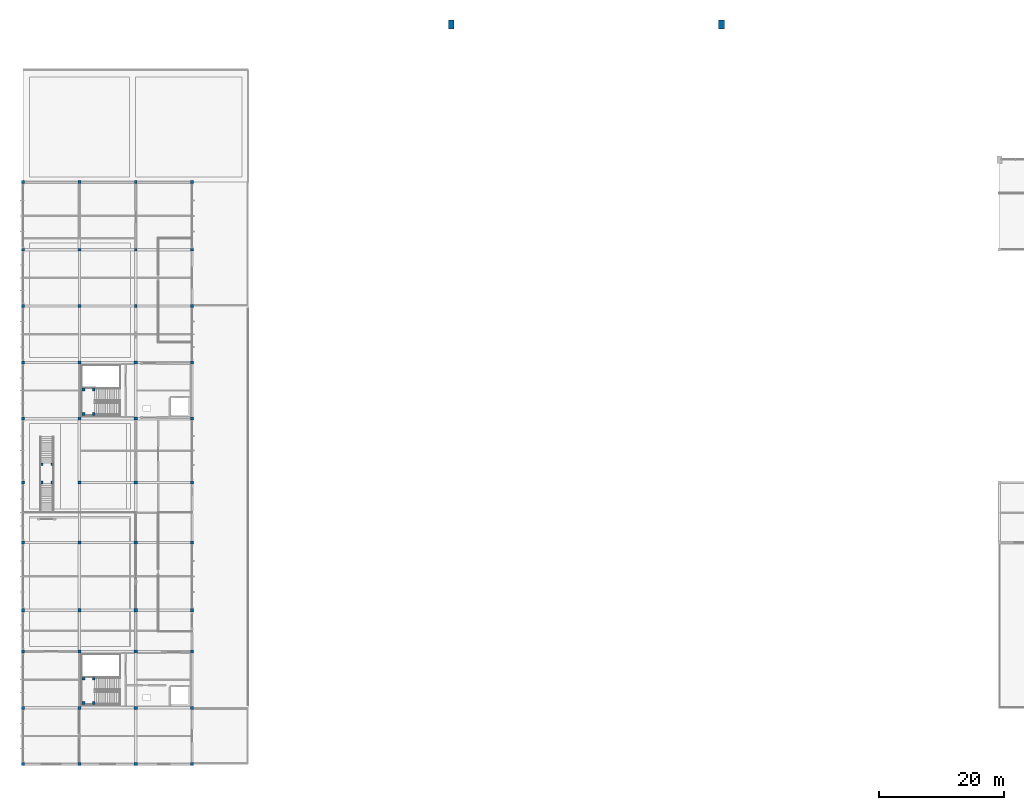
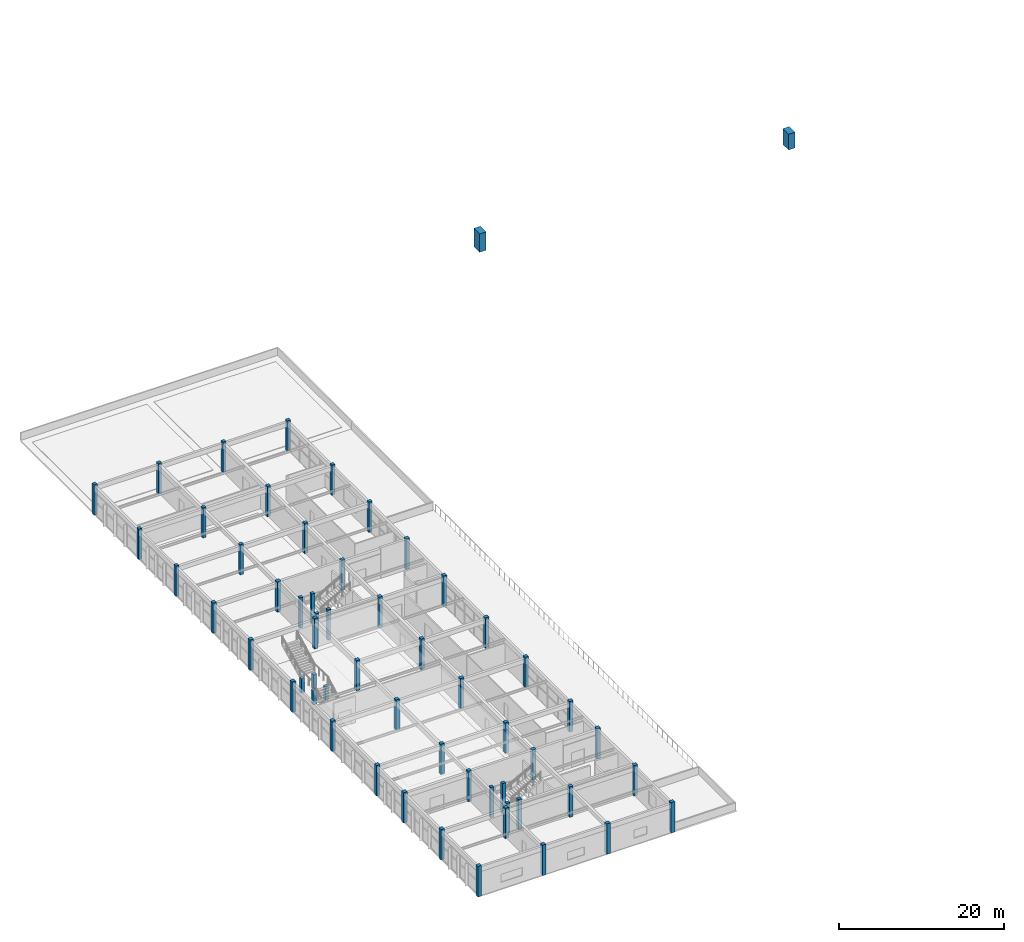
# One storey, part 1 of 22: 58 columns.
"""IFC4 building model written with IfcOpenShell, lengths in metres."""

from ifc_helpers import new_model, si_unit, direction, frame, origin, origin_2d, place, context, subcontext, project, spatial, rectangle, extrude, material, material_profile, profile_set, type_object, element, save


model = new_model("IFC4")

# Units and contexts
model_context = context("Model", 3, precision=1e-05, world=origin(), true_north=direction((0.0, 1.0)))
body_context = subcontext(model_context, "Body", "Model", "MODEL_VIEW")
ifc_project = project(units=[si_unit("LENGTHUNIT", "METRE"), si_unit("AREAUNIT", "SQUARE_METRE"), si_unit("VOLUMEUNIT", "CUBIC_METRE"), si_unit("PLANEANGLEUNIT", "RADIAN"), si_unit("MASSUNIT", "GRAM", prefix="KILO")], contexts=[model_context])

# Site, building, storey
site_placement = place(None, origin())
site = spatial("IfcSite", under=ifc_project, at=site_placement, CompositionType="ELEMENT")
building_placement = place(site_placement, origin())
building = spatial("IfcBuilding", under=site, at=building_placement, Name="Suirenkawa Promenade Aquatics Centre", CompositionType="ELEMENT")
storey_placement = place(building_placement, frame((0.0, 0.0, 14.10009765625)))
storey = spatial("IfcBuildingStorey", under=building, at=storey_placement, Name="L03", CompositionType="ELEMENT", Elevation=14.10009765625)

# Columns
ifc_material = material(Name="Concrete M40", Category="concrete")
ifc_material_profile_1 = material_profile(ifc_material, rectangle(XDim=0.89990234375, YDim=1.39990234375, at=origin_2d()), Name="RC PIER 900x1400", Category="concrete")
ifc_profile_set_1 = profile_set([ifc_material_profile_1], Name="Concrete M40")
column_type_1 = type_object("IfcColumnType", Name="CT-PIER-900x1400", PredefinedType="COLUMN", material=ifc_profile_set_1)
column_1_placement = place(storey_placement, frame((68.39990234375, 122.39990234375, 0.0), z_axis=(0.0, 0.0, 1.0), x_axis=(1.0, 0.0, 0.0)))
element("IfcColumn", 1, at=column_1_placement, inside=storey, type_object=column_type_1, Name="Column CL-09 COL-0005", PredefinedType="COLUMN", context=body_context, shape_type="SweptSolid", body=[
    extrude(rectangle(XDim=0.89990234375, YDim=1.39990234375, at=origin_2d()), origin(), (0.0, 0.0, 1.0), 2.724853515625),
])
column_2_placement = place(storey_placement, frame((111.60009765625, 122.39990234375, 0.0), z_axis=(0.0, 0.0, 1.0), x_axis=(1.0, 0.0, 0.0)))
element("IfcColumn", 2, at=column_2_placement, inside=storey, type_object=column_type_1, Name="Column CL-09 COL-0010", PredefinedType="COLUMN", context=body_context, shape_type="SweptSolid", body=[
    extrude(rectangle(XDim=0.89990234375, YDim=1.39990234375, at=origin_2d()), origin(), (0.0, 0.0, 1.0), 2.324951171875),
])
ifc_material_profile_2 = material_profile(ifc_material, rectangle(XDim=0.449951171875, YDim=0.449951171875, at=origin_2d()), Name="RC COL 450x450", Category="concrete")
ifc_profile_set_2 = profile_set([ifc_material_profile_2], Name="Concrete M40")
column_type_2 = type_object("IfcColumnType", Name="CT-RC-450", PredefinedType="COLUMN", material=ifc_profile_set_2)
for number, where, z_axis, x_axis, name in (
    (3, (0.0, 77.39990234375, 0.0), (0.0, 0.0, 1.0), (1.0, 0.0, 0.0), "Column CL-01 COL-0356"),
    (4, (0.0, 86.39990234375, 0.0), (0.0, 0.0, 1.0), (1.0, 0.0, 0.0), "Column CL-01 COL-0361"),
    (5, (0.0, 97.199951171875, 0.0), (0.0, 0.0, 1.0), (1.0, 0.0, 0.0), "Column CL-01 COL-0366"),
    (6, (9.0, 77.39990234375, 0.0), (0.0, 0.0, 1.0), (1.0, 0.0, 0.0), "Column CL-01 COL-0371"),
    (7, (9.0, 86.39990234375, 0.0), (0.0, 0.0, 1.0), (1.0, 0.0, 0.0), "Column CL-01 COL-0376"),
    (8, (9.0, 97.199951171875, 0.0), (0.0, 0.0, 1.0), (1.0, 0.0, 0.0), "Column CL-01 COL-0381"),
    (9, (18.0, 77.39990234375, 0.0), (0.0, 0.0, 1.0), (1.0, 0.0, 0.0), "Column CL-01 COL-0386"),
    (10, (18.0, 86.39990234375, 0.0), (0.0, 0.0, 1.0), (1.0, 0.0, 0.0), "Column CL-01 COL-0391"),
    (11, (18.0, 97.199951171875, 0.0), (0.0, 0.0, 1.0), (1.0, 0.0, 0.0), "Column CL-01 COL-0396"),
    (12, (27.0, 77.39990234375, 0.0), (0.0, 0.0, 1.0), (1.0, 0.0, 0.0), "Column CL-01 COL-0401"),
    (13, (27.0, 86.39990234375, 0.0), (0.0, 0.0, 1.0), (1.0, 0.0, 0.0), "Column CL-01 COL-0406"),
    (14, (27.0, 97.199951171875, 0.0), (0.0, 0.0, 1.0), (1.0, 0.0, 0.0), "Column CL-01 COL-0411"),
):
    element("IfcColumn", number, at=place(storey_placement, frame(where, z_axis=z_axis, x_axis=x_axis)), inside=storey, type_object=column_type_2, Name=name, PredefinedType="COLUMN", context=body_context, shape_type="SweptSolid", body=[
        extrude(rectangle(XDim=0.449951171875, YDim=0.449951171875, at=origin_2d()), origin(), (0.0, 0.0, 1.0), 4.5),
    ])
for number, where, z_axis, x_axis, name in (
    (15, (2.945068359375, 49.22509765625, 0.0), (0.0, 0.0, 1.0), (1.0, 0.0, 0.0), "Column CL-01 COL-0436"),
    (16, (2.945068359375, 52.125, 0.0), (0.0, 0.0, 1.0), (1.0, 0.0, 0.0), "Column CL-01 COL-0441"),
    (17, (4.655029296875, 49.22509765625, 0.0), (0.0, 0.0, 1.0), (1.0, 0.0, 0.0), "Column CL-01 COL-0446"),
    (18, (4.655029296875, 52.125, 0.0), (0.0, 0.0, 1.0), (1.0, 0.0, 0.0), "Column CL-01 COL-0451"),
):
    element("IfcColumn", number, at=place(storey_placement, frame(where, z_axis=z_axis, x_axis=x_axis)), inside=storey, type_object=column_type_2, Name=name, PredefinedType="COLUMN", context=body_context, shape_type="SweptSolid", body=[
        extrude(rectangle(XDim=0.449951171875, YDim=0.449951171875, at=origin_2d()), origin(), (0.0, 0.0, 1.0), 2.08984375),
    ])
for number, where, z_axis, x_axis, name in (
    (19, (9.64990234375, 13.969970703125, 0.0), (0.0, 0.0, 1.0), (1.0, 0.0, 0.0), "Core stair landing column CL-01 COL-CR-C1-L03-1"),
    (20, (11.300048828125, 13.969970703125, 0.0), (0.0, 0.0, 1.0), (1.0, 0.0, 0.0), "Core stair landing column CL-01 COL-CR-C1-L03-2"),
    (21, (9.64990234375, 17.860107421875, 0.0), (0.0, 0.0, 1.0), (1.0, 0.0, 0.0), "Core stair landing column CL-01 COL-CR-C1-L03-3"),
    (22, (11.300048828125, 17.860107421875, 0.0), (0.0, 0.0, 1.0), (1.0, 0.0, 0.0), "Core stair landing column CL-01 COL-CR-C1-L03-4"),
    (23, (9.64990234375, 60.169921875, 0.0), (0.0, 0.0, 1.0), (1.0, 0.0, 0.0), "Core stair landing column CL-01 COL-CR-C2-L03-1"),
    (24, (11.300048828125, 60.169921875, 0.0), (0.0, 0.0, 1.0), (1.0, 0.0, 0.0), "Core stair landing column CL-01 COL-CR-C2-L03-2"),
    (25, (9.64990234375, 64.06005859375, 0.0), (0.0, 0.0, 1.0), (1.0, 0.0, 0.0), "Core stair landing column CL-01 COL-CR-C2-L03-3"),
    (26, (11.300048828125, 64.06005859375, 0.0), (0.0, 0.0, 1.0), (1.0, 0.0, 0.0), "Core stair landing column CL-01 COL-CR-C2-L03-4"),
):
    element("IfcColumn", number, at=place(storey_placement, frame(where, z_axis=z_axis, x_axis=x_axis)), inside=storey, type_object=column_type_2, Name=name, PredefinedType="COLUMN", context=body_context, shape_type="SweptSolid", body=[
        extrude(rectangle(XDim=0.449951171875, YDim=0.449951171875, at=origin_2d()), origin(), (0.0, 0.0, 1.0), 4.5),
    ])
ifc_material_profile_3 = material_profile(ifc_material, rectangle(XDim=0.5, YDim=0.5, at=origin_2d()), Name="RC COL 500x500", Category="concrete")
ifc_profile_set_3 = profile_set([ifc_material_profile_3], Name="Concrete M40")
column_type_3 = type_object("IfcColumnType", Name="CT-RC-500", PredefinedType="COLUMN", material=ifc_profile_set_3)
for number, where, z_axis, x_axis, name in (
    (27, (0.0, 4.199951171875, 0.0), (0.0, 0.0, 1.0), (1.0, 0.0, 0.0), "Column CL-02 COL-0164"),
    (28, (0.0, 13.199951171875, 0.0), (0.0, 0.0, 1.0), (1.0, 0.0, 0.0), "Column CL-02 COL-0170"),
    (29, (0.0, 22.199951171875, 0.0), (0.0, 0.0, 1.0), (1.0, 0.0, 0.0), "Column CL-02 COL-0176"),
    (30, (0.0, 28.800048828125, 0.0), (0.0, 0.0, 1.0), (1.0, 0.0, 0.0), "Column CL-02 COL-0182"),
    (31, (0.0, 39.60009765625, 0.0), (0.0, 0.0, 1.0), (1.0, 0.0, 0.0), "Column CL-02 COL-0188"),
    (32, (0.0, 49.199951171875, 0.0), (0.0, 0.0, 1.0), (1.0, 0.0, 0.0), "Column CL-02 COL-0194"),
    (33, (0.0, 59.39990234375, 0.0), (0.0, 0.0, 1.0), (1.0, 0.0, 0.0), "Column CL-02 COL-0200"),
    (34, (0.0, 68.39990234375, 0.0), (0.0, 0.0, 1.0), (1.0, 0.0, 0.0), "Column CL-02 COL-0206"),
    (35, (9.0, 4.199951171875, 0.0), (0.0, 0.0, 1.0), (1.0, 0.0, 0.0), "Column CL-02 COL-0212"),
    (36, (9.0, 13.199951171875, 0.0), (0.0, 0.0, 1.0), (1.0, 0.0, 0.0), "Column CL-02 COL-0218"),
    (37, (9.0, 22.199951171875, 0.0), (0.0, 0.0, 1.0), (1.0, 0.0, 0.0), "Column CL-02 COL-0224"),
    (38, (9.0, 28.800048828125, 0.0), (0.0, 0.0, 1.0), (1.0, 0.0, 0.0), "Column CL-02 COL-0230"),
    (39, (9.0, 39.60009765625, 0.0), (0.0, 0.0, 1.0), (1.0, 0.0, 0.0), "Column CL-02 COL-0236"),
    (40, (9.0, 49.199951171875, 0.0), (0.0, 0.0, 1.0), (1.0, 0.0, 0.0), "Column CL-02 COL-0242"),
    (41, (9.0, 59.39990234375, 0.0), (0.0, 0.0, 1.0), (1.0, 0.0, 0.0), "Column CL-02 COL-0248"),
    (42, (9.0, 68.39990234375, 0.0), (0.0, 0.0, 1.0), (1.0, 0.0, 0.0), "Column CL-02 COL-0254"),
    (43, (18.0, 4.199951171875, 0.0), (0.0, 0.0, 1.0), (1.0, 0.0, 0.0), "Column CL-02 COL-0260"),
    (44, (18.0, 13.199951171875, 0.0), (0.0, 0.0, 1.0), (1.0, 0.0, 0.0), "Column CL-02 COL-0266"),
    (45, (18.0, 22.199951171875, 0.0), (0.0, 0.0, 1.0), (1.0, 0.0, 0.0), "Column CL-02 COL-0272"),
    (46, (18.0, 28.800048828125, 0.0), (0.0, 0.0, 1.0), (1.0, 0.0, 0.0), "Column CL-02 COL-0278"),
    (47, (18.0, 39.60009765625, 0.0), (0.0, 0.0, 1.0), (1.0, 0.0, 0.0), "Column CL-02 COL-0284"),
    (48, (18.0, 49.199951171875, 0.0), (0.0, 0.0, 1.0), (1.0, 0.0, 0.0), "Column CL-02 COL-0290"),
    (49, (18.0, 59.39990234375, 0.0), (0.0, 0.0, 1.0), (1.0, 0.0, 0.0), "Column CL-02 COL-0296"),
    (50, (18.0, 68.39990234375, 0.0), (0.0, 0.0, 1.0), (1.0, 0.0, 0.0), "Column CL-02 COL-0302"),
    (51, (27.0, 4.199951171875, 0.0), (0.0, 0.0, 1.0), (1.0, 0.0, 0.0), "Column CL-02 COL-0308"),
    (52, (27.0, 13.199951171875, 0.0), (0.0, 0.0, 1.0), (1.0, 0.0, 0.0), "Column CL-02 COL-0314"),
    (53, (27.0, 22.199951171875, 0.0), (0.0, 0.0, 1.0), (1.0, 0.0, 0.0), "Column CL-02 COL-0320"),
    (54, (27.0, 28.800048828125, 0.0), (0.0, 0.0, 1.0), (1.0, 0.0, 0.0), "Column CL-02 COL-0326"),
    (55, (27.0, 39.60009765625, 0.0), (0.0, 0.0, 1.0), (1.0, 0.0, 0.0), "Column CL-02 COL-0332"),
    (56, (27.0, 49.199951171875, 0.0), (0.0, 0.0, 1.0), (1.0, 0.0, 0.0), "Column CL-02 COL-0338"),
    (57, (27.0, 59.39990234375, 0.0), (0.0, 0.0, 1.0), (1.0, 0.0, 0.0), "Column CL-02 COL-0344"),
    (58, (27.0, 68.39990234375, 0.0), (0.0, 0.0, 1.0), (1.0, 0.0, 0.0), "Column CL-02 COL-0350"),
):
    element("IfcColumn", number, at=place(storey_placement, frame(where, z_axis=z_axis, x_axis=x_axis)), inside=storey, type_object=column_type_3, Name=name, PredefinedType="COLUMN", context=body_context, shape_type="SweptSolid", body=[
        extrude(rectangle(XDim=0.5, YDim=0.5, at=origin_2d()), origin(), (0.0, 0.0, 1.0), 4.5),
    ])

save(model, "model.ifc")
